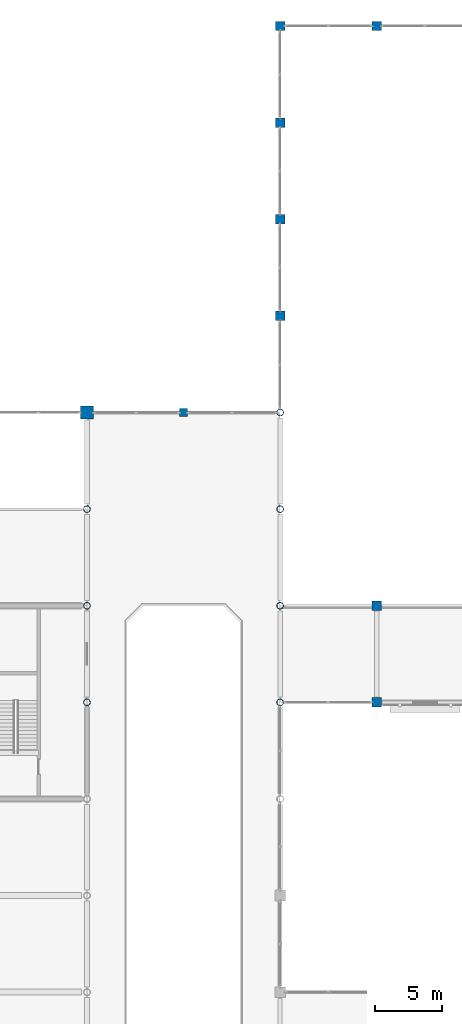
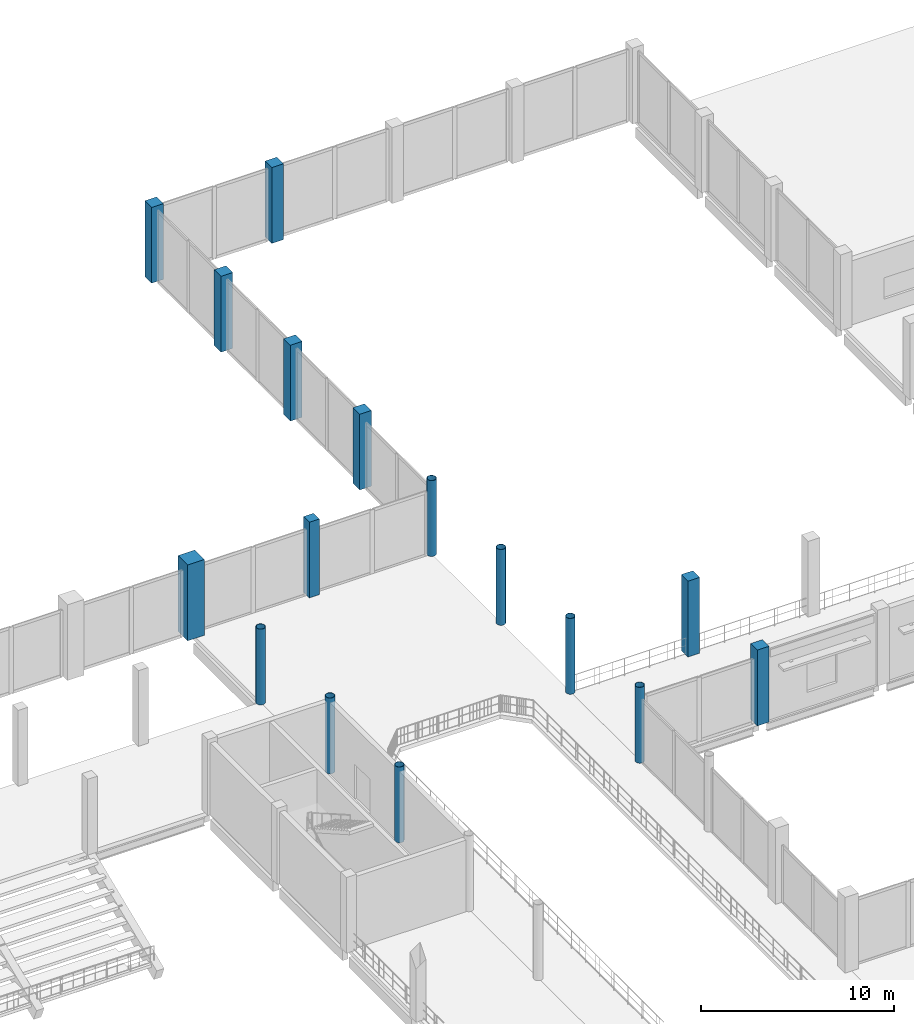
# One storey, part 4 of 99: 16 columns.
"""IFC4 building model written with IfcOpenShell, lengths in metres."""

import ifcopenshell
import ifcopenshell.guid

model = None  # the IFC model being written
_history = None  # IfcOwnerHistory: only IFC2X3 demands one
_inside = {}  # id of a spatial element -> (the spatial element, [elements in it])
_under = {}  # id of a project, library or spatial element -> (it, [spatial elements below it])
_declared = {}  # id of a project -> (the project, [libraries it declares])
_typed = {}  # id of a type object -> (the type object, [elements of that type])
_made_of = {}  # id of a material, layer set ... -> (it, [elements and type objects made of it])


def new_model(schema):
    """Start an empty IFC model of exactly this schema.

    Asked for "IFC4X3", IfcOpenShell would pick the latest addendum, in which some entities
    have other attributes; the version numbers below select the first issue.
    IFC2X3 requires an IfcOwnerHistory on every rooted entity: one is made here for all.
    """
    global model, _history
    if schema == "IFC4X3":
        model = ifcopenshell.file(schema_version=(4, 3, 0, 0))
    else:
        model = ifcopenshell.file(schema=schema)
    _inside.clear()
    _under.clear()
    _declared.clear()
    _typed.clear()
    _made_of.clear()
    _history = None
    if model.schema == "IFC2X3":
        org = make("IfcOrganization", Name="unknown")
        user = make(
            "IfcPersonAndOrganization",
            ThePerson=make("IfcPerson", FamilyName="unknown"),
            TheOrganization=org,
        )
        app = make(
            "IfcApplication",
            ApplicationDeveloper=org,
            Version="unknown",
            ApplicationFullName="unknown",
            ApplicationIdentifier="unknown",
        )
        _history = make(
            "IfcOwnerHistory",
            OwningUser=user,
            OwningApplication=app,
            ChangeAction="ADDED",
            CreationDate=0,
        )
    return model


def make(cls, **values):
    """One entity of the class cls with the attributes given. An attribute that is None is left unset."""
    return model.create_entity(
        cls, **{name: value for name, value in values.items() if value is not None}
    )


def rooted(cls, **values):
    """An entity with a GlobalId (a new one), such as an element, a storey or a relation."""
    return make(cls, GlobalId=ifcopenshell.guid.new(), OwnerHistory=_history, **values)


def si_unit(unit_type, name, prefix=None):
    """IfcSIUnit, for example si_unit("LENGTHUNIT", "METRE", prefix="MILLI")."""
    return make("IfcSIUnit", UnitType=unit_type, Prefix=prefix, Name=name)


def assignment(units):
    """IfcUnitAssignment: the units of a project."""
    return None if units is None else make("IfcUnitAssignment", Units=units)


def point(xyz):
    """IfcCartesianPoint."""
    return None if xyz is None else make("IfcCartesianPoint", Coordinates=xyz)


def direction(xyz):
    """IfcDirection."""
    return None if xyz is None else make("IfcDirection", DirectionRatios=xyz)


def frame(location, z_axis=None, x_axis=None):
    """IfcAxis2Placement3D, a coordinate frame: its origin and axes. An axis left out is left unset."""
    return make(
        "IfcAxis2Placement3D",
        Location=point(location),
        Axis=direction(z_axis),
        RefDirection=direction(x_axis),
    )


def frame_2d(location, x_axis=None):
    """IfcAxis2Placement2D, a coordinate frame in the plane: its origin and x axis."""
    return make(
        "IfcAxis2Placement2D", Location=point(location), RefDirection=direction(x_axis)
    )


def origin():
    """The frame at (0, 0, 0) with its axes left unset."""
    return frame((0.0, 0.0, 0.0))


def origin_2d():
    """The frame at (0, 0) in the plane with its x axis left unset."""
    return frame_2d((0.0, 0.0))


def place(relative_to, where):
    """IfcLocalPlacement: puts the frame where relative to a parent placement (None: the world)."""
    return make(
        "IfcLocalPlacement", PlacementRelTo=relative_to, RelativePlacement=where
    )


def context(
    kind, dimensions, precision=None, world=None, true_north=None, identifier=None
):
    """IfcGeometricRepresentationContext, for example the 3D "Model" context."""
    return make(
        "IfcGeometricRepresentationContext",
        ContextIdentifier=identifier,
        ContextType=kind,
        CoordinateSpaceDimension=dimensions,
        Precision=precision,
        WorldCoordinateSystem=world,
        TrueNorth=true_north,
    )


def subcontext(parent, identifier, kind, view, scale=None):
    """IfcGeometricRepresentationSubContext, for example "Body" below "Model"."""
    return make(
        "IfcGeometricRepresentationSubContext",
        ContextIdentifier=identifier,
        ContextType=kind,
        ParentContext=parent,
        TargetScale=scale,
        TargetView=view,
    )


def project(units=None, contexts=None):
    """IfcProject with its units and contexts."""
    return rooted(
        "IfcProject",
        Name="project",
        RepresentationContexts=contexts,
        UnitsInContext=assignment(units),
    )


def spatial(cls, under=None, at=None, **own):
    """A site, building, storey or space (cls), placed at a placement, below another one or the project."""
    s = rooted(cls, ObjectPlacement=at, **own)
    if under is not None:
        _under.setdefault(under.id(), (under, []))[1].append(s)
    return s


def profile(cls, at=None, kind="AREA", **sizes):
    """A parametric profile (cls). Its sizes go by their IFC names, for example OverallWidth=200.0."""
    return make(cls, ProfileType=kind, Position=at, **sizes)


def rectangle(**sizes):
    """IfcRectangleProfileDef."""
    return profile("IfcRectangleProfileDef", **sizes)


def hollow_circle(**sizes):
    """IfcCircleHollowProfileDef."""
    return profile("IfcCircleHollowProfileDef", **sizes)


def extrude(swept, where, along, depth):
    """IfcExtrudedAreaSolid: the profile swept, set in the frame where, extruded along a direction by depth."""
    return make(
        "IfcExtrudedAreaSolid",
        SweptArea=swept,
        Position=where,
        ExtrudedDirection=direction(along),
        Depth=depth,
    )


def shape(context_of_items, identifier, shape_type, items):
    """IfcShapeRepresentation: the items that make up one representation, for example the "Body"."""
    return make(
        "IfcShapeRepresentation",
        ContextOfItems=context_of_items,
        RepresentationIdentifier=identifier,
        RepresentationType=shape_type,
        Items=items,
    )


def material(Name=None, Category=None):
    """IfcMaterial."""
    return make("IfcMaterial", Name=Name, Category=Category)


def material_profile(
    of_material, cross_section, Name=None, Category=None, Priority=None
):
    """IfcMaterialProfile: a cross section and its material."""
    return make(
        "IfcMaterialProfile",
        Name=Name,
        Material=of_material,
        Profile=cross_section,
        Priority=Priority,
        Category=Category,
    )


def profile_set(profiles, Name=None, composite=None):
    """IfcMaterialProfileSet."""
    return make(
        "IfcMaterialProfileSet",
        Name=Name,
        MaterialProfiles=profiles,
        CompositeProfile=composite,
    )


def made_of(thing, what):
    """Note that an element or type object is made of a material, layer set ...; save() writes the relation."""
    if what is not None:
        _made_of.setdefault(what.id(), (what, []))[1].append(thing)
    return thing


def type_object(cls, material=None, **own):
    """A type object (cls), such as IfcWallType, which elements share."""
    return made_of(rooted(cls, **own), material)


def element(
    cls,
    number,
    at=None,
    inside=None,
    cuts=None,
    type_object=None,
    material=None,
    context=None,
    identifier="Body",
    shape_type=None,
    held_by="IfcProductDefinitionShape",
    body=None,
    shapes=None,
    **own,
):
    """One element of the class cls, such as IfcWall. Its Tag is "e" and its number.

    at: its placement. inside: the storey or other place that contains it. cuts: it is an
    opening in that element (IfcRelVoidsElement). A single representation is given by context,
    identifier, shape_type and body (its items); several are given by shapes. held_by: the class
    of the entity that holds the representations. save() writes the other relations.
    """
    e = rooted(cls, Tag="e%d" % number, ObjectPlacement=at, **own)
    if body is not None:
        shapes = [shape(context, identifier, shape_type, body)]
    if shapes is not None:
        e.Representation = make(held_by, Representations=shapes)
    if inside is not None:
        _inside.setdefault(inside.id(), (inside, []))[1].append(e)
    if cuts is not None:
        rooted(
            "IfcRelVoidsElement", RelatingBuildingElement=cuts, RelatedOpeningElement=e
        )
    if type_object is not None:
        _typed.setdefault(type_object.id(), (type_object, []))[1].append(e)
    return made_of(e, material)


def aggregate(whole, parts):
    """IfcRelAggregates: a whole, such as a stair, and the parts it consists of."""
    return rooted("IfcRelAggregates", RelatingObject=whole, RelatedObjects=parts)


def save(model, path):
    """Write the relations noted so far, then the file.

    IfcRelAggregates (storeys below a building ...), IfcRelContainedInSpatialStructure (elements
    in a storey), IfcRelDefinesByType, IfcRelAssociatesMaterial and IfcRelDeclares: one each for
    every whole, place, type object, material and project.
    """
    for whole, parts in _under.values():
        aggregate(whole, parts)
    for where, things in _inside.values():
        rooted(
            "IfcRelContainedInSpatialStructure",
            RelatedElements=things,
            RelatingStructure=where,
        )
    for kind, things in _typed.values():
        rooted("IfcRelDefinesByType", RelatedObjects=things, RelatingType=kind)
    for what, things in _made_of.values():
        rooted("IfcRelAssociatesMaterial", RelatedObjects=things, RelatingMaterial=what)
    for by, libraries in _declared.values():
        rooted("IfcRelDeclares", RelatingContext=by, RelatedDefinitions=libraries)
    model.write(path)


model = new_model("IFC4")

# Units and contexts
model_context = context("Model", 3, precision=1e-05, world=origin(), true_north=direction((0.0, 1.0)))
body_context = subcontext(model_context, "Body", "Model", "MODEL_VIEW")
ifc_project = project(units=[si_unit("LENGTHUNIT", "METRE"), si_unit("AREAUNIT", "SQUARE_METRE"), si_unit("VOLUMEUNIT", "CUBIC_METRE"), si_unit("PLANEANGLEUNIT", "RADIAN"), si_unit("MASSUNIT", "GRAM", prefix="KILO")], contexts=[model_context])

# Site, building, storey
site_placement = place(None, origin())
site = spatial("IfcSite", under=ifc_project, at=site_placement, CompositionType="ELEMENT")
building_placement = place(site_placement, origin())
building = spatial("IfcBuilding", under=site, at=building_placement, Name="Vesperath Aquatics Centre", CompositionType="ELEMENT")
storey_placement = place(building_placement, frame((0.0, 0.0, 5.39990234375)))
storey = spatial("IfcBuildingStorey", under=building, at=storey_placement, Name="L01", CompositionType="ELEMENT", Elevation=5.39990234375)

# Columns
ifc_material_1 = material(Name="Concrete C40", Category="concrete")
ifc_material_profile_1 = material_profile(ifc_material_1, rectangle(XDim=1.0, YDim=1.0, at=origin_2d()), Name="RC 1000x1000")
ifc_profile_set_1 = profile_set([ifc_material_profile_1], Name="Concrete C40")
column_type_1 = type_object("IfcColumnType", Name="CL-C02", PredefinedType="COLUMN", material=ifc_profile_set_1)
column_1_placement = place(storey_placement, frame((100.800048828125, 86.39990234375, 0.0), z_axis=(0.0, 0.0, 1.0), x_axis=(1.0, 0.0, 0.0)))
element("IfcColumn", 1, at=column_1_placement, inside=storey, type_object=column_type_1, Name="Column C02 L01 15/N", PredefinedType="COLUMN", context=body_context, shape_type="SweptSolid", body=[
    extrude(rectangle(XDim=1.0, YDim=1.0, at=origin_2d()), origin(), (0.0, 0.0, 1.0), 4.800048828125),
])
ifc_material_profile_2 = material_profile(ifc_material_1, rectangle(XDim=0.699951171875, YDim=0.699951171875, at=origin_2d()), Name="RC 700x700")
ifc_profile_set_2 = profile_set([ifc_material_profile_2], Name="Concrete C40")
column_type_2 = type_object("IfcColumnType", Name="CL-C05", PredefinedType="COLUMN", material=ifc_profile_set_2)
for number, where, z_axis, x_axis, name in (
    (2, (115.199951171875, 93.60009765625, 0.0), (0.0, 0.0, 1.0), (1.0, 0.0, 0.0), "Column C05 L01 17/P"),
    (3, (115.199951171875, 100.800048828125, 0.0), (0.0, 0.0, 1.0), (1.0, 0.0, 0.0), "Column C05 L01 17/Q"),
    (4, (115.199951171875, 108.0, 0.0), (0.0, 0.0, 1.0), (1.0, 0.0, 0.0), "Column C05 L01 17/R"),
    (5, (115.199951171875, 115.199951171875, 0.0), (0.0, 0.0, 1.0), (1.0, 0.0, 0.0), "Column C05 L01 17/S"),
    (6, (122.39990234375, 64.800048828125, 0.0), (0.0, 0.0, 1.0), (1.0, 0.0, 0.0), "Column C05 L01 18/K"),
    (7, (122.39990234375, 72.0, 0.0), (0.0, 0.0, 1.0), (1.0, 0.0, 0.0), "Column C05 L01 18/L"),
    (8, (122.39990234375, 115.199951171875, 0.0), (0.0, 0.0, 1.0), (1.0, 0.0, 0.0), "Column C05 L01 18/S"),
):
    element("IfcColumn", number, at=place(storey_placement, frame(where, z_axis=z_axis, x_axis=x_axis)), inside=storey, type_object=column_type_2, Name=name, PredefinedType="COLUMN", context=body_context, shape_type="SweptSolid", body=[
        extrude(rectangle(XDim=0.699951171875, YDim=0.699951171875, at=origin_2d()), origin(), (0.0, 0.0, 1.0), 4.800048828125),
    ])
ifc_material_profile_3 = material_profile(ifc_material_1, rectangle(XDim=0.60009765625, YDim=0.60009765625, at=origin_2d()), Name="RC 600x600")
ifc_profile_set_3 = profile_set([ifc_material_profile_3], Name="Concrete C40")
column_type_3 = type_object("IfcColumnType", Name="CL-C06", PredefinedType="COLUMN", material=ifc_profile_set_3)
column_2_placement = place(storey_placement, frame((108.0, 86.39990234375, 0.0), z_axis=(0.0, 0.0, 1.0), x_axis=(1.0, 0.0, 0.0)))
element("IfcColumn", 9, at=column_2_placement, inside=storey, type_object=column_type_3, Name="Column C06 L01 16/N", PredefinedType="COLUMN", context=body_context, shape_type="SweptSolid", body=[
    extrude(rectangle(XDim=0.60009765625, YDim=0.60009765625, at=origin_2d()), origin(), (0.0, 0.0, 1.0), 4.800048828125),
])
ifc_material_2 = material(Name="Steel Q355D", Category="steel")
ifc_material_profile_4 = material_profile(ifc_material_2, hollow_circle(Radius=0.25390625, WallThickness=0.02197265625, at=origin_2d()), Name="CHS 508.0x22")
ifc_profile_set_4 = profile_set([ifc_material_profile_4], Name="Steel Q355D")
column_type_4 = type_object("IfcColumnType", Name="CL-C12", PredefinedType="COLUMN", material=ifc_profile_set_4)
for number, where, z_axis, x_axis, name in (
    (10, (100.800048828125, 64.800048828125, 0.0), (0.0, 0.0, 1.0), (1.0, 0.0, 0.0), "Column C12 L01 15/K"),
    (11, (100.800048828125, 72.0, 0.0), (0.0, 0.0, 1.0), (1.0, 0.0, 0.0), "Column C12 L01 15/L"),
    (12, (100.800048828125, 79.199951171875, 0.0), (0.0, 0.0, 1.0), (1.0, 0.0, 0.0), "Column C12 L01 15/M"),
    (13, (115.199951171875, 64.800048828125, 0.0), (0.0, 0.0, 1.0), (1.0, 0.0, 0.0), "Column C12 L01 17/K"),
    (14, (115.199951171875, 72.0, 0.0), (0.0, 0.0, 1.0), (1.0, 0.0, 0.0), "Column C12 L01 17/L"),
    (15, (115.199951171875, 79.199951171875, 0.0), (0.0, 0.0, 1.0), (1.0, 0.0, 0.0), "Column C12 L01 17/M"),
    (16, (115.199951171875, 86.39990234375, 0.0), (0.0, 0.0, 1.0), (1.0, 0.0, 0.0), "Column C12 L01 17/N"),
):
    element("IfcColumn", number, at=place(storey_placement, frame(where, z_axis=z_axis, x_axis=x_axis)), inside=storey, type_object=column_type_4, Name=name, PredefinedType="COLUMN", context=body_context, shape_type="SweptSolid", body=[
        extrude(hollow_circle(Radius=0.25390625, WallThickness=0.02197265625, at=origin_2d()), origin(), (0.0, 0.0, 1.0), 4.800048828125),
    ])

save(model, "model.ifc")
